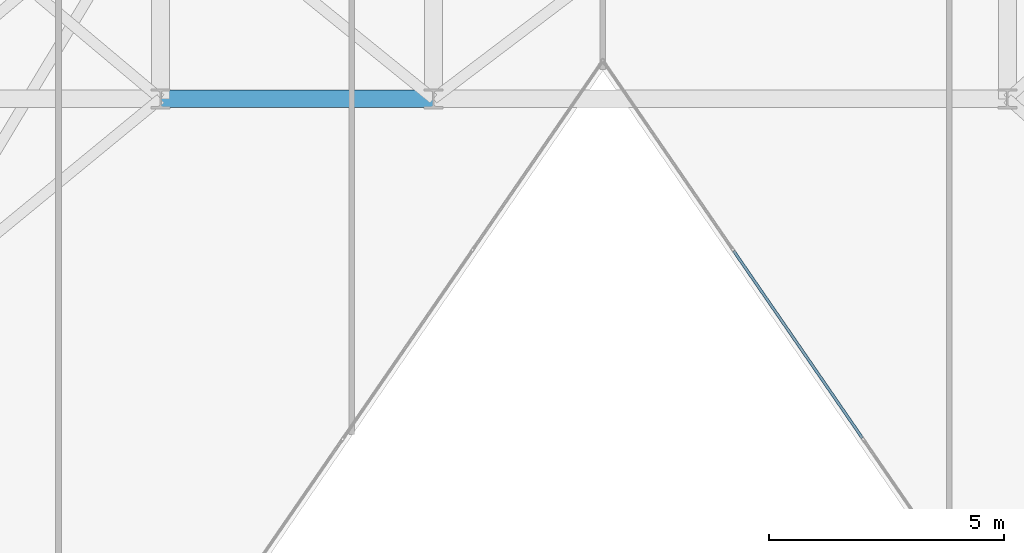
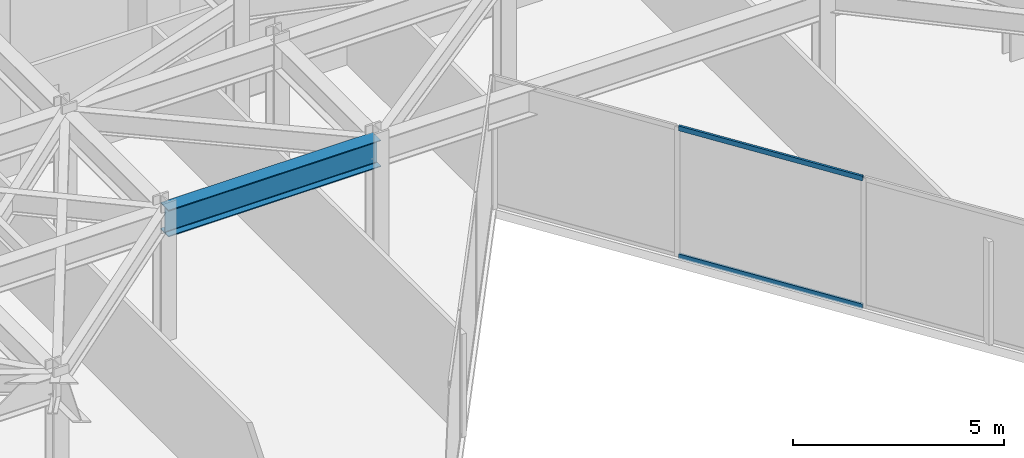
# One storey, part 7 of 27: 2 members, 1 beam, 1 element without a shape of its own.
"""IFC4 building model written with IfcOpenShell, lengths in metres."""

from ifc_helpers import new_model, si_unit, direction, frame, origin, origin_2d, place, context, subcontext, project, spatial, hollow_rectangle, i_section, extrude, material, layer, layer_set, material_profile, profile_set, type_object, element, aggregate, save


model = new_model("IFC4")

# Units and contexts
model_context = context("Model", 3, precision=1e-05, world=origin(), true_north=direction((0.0, 1.0)))
body_context = subcontext(model_context, "Body", "Model", "MODEL_VIEW")
ifc_project = project(units=[si_unit("LENGTHUNIT", "METRE"), si_unit("AREAUNIT", "SQUARE_METRE"), si_unit("VOLUMEUNIT", "CUBIC_METRE"), si_unit("PLANEANGLEUNIT", "RADIAN"), si_unit("MASSUNIT", "GRAM", prefix="KILO")], contexts=[model_context])

# Site, building, storey
site_placement = place(None, origin())
site = spatial("IfcSite", under=ifc_project, at=site_placement, CompositionType="ELEMENT")
building_placement = place(site_placement, origin())
building = spatial("IfcBuilding", under=site, at=building_placement, Name="Kravanh Interchange Tower", CompositionType="ELEMENT")
storey_placement = place(building_placement, frame((0.0, 0.0, 188.5)))
storey = spatial("IfcBuildingStorey", under=building, at=storey_placement, Name="L45", CompositionType="ELEMENT", Elevation=188.5)

# Curtain wall, members
ifc_material_1 = material(Name="Anodised Bronze Aluminium", Category="aluminium")
ifc_layer = layer(ifc_material_1, 0.179931640625)
ifc_layer_set = layer_set([ifc_layer], Name="Unitised Curtain Wall System CW-Z3 Upper Office")
curtain_wall_type = type_object("IfcCurtainWallType", Name="Unitised Curtain Wall System CW-Z3 Upper Office", PredefinedType="NOTDEFINED", material=ifc_layer_set)
curtain_wall_placement = place(storey_placement, origin())
curtain_wall = element("IfcCurtainWall", 1, at=curtain_wall_placement, inside=storey, type_object=curtain_wall_type, Name="L45 Unitised Curtain Wall CW-L45-04", PredefinedType="NOTDEFINED")
ifc_material_2 = material(Name="Anodised Bronze Aluminium", Category="aluminium")
ifc_material_profile_1 = material_profile(ifc_material_2, hollow_rectangle(XDim=0.06005859375, YDim=0.139892578125, WallThickness=0.00390625, at=origin_2d()), Name="ALU60X140X4")
ifc_profile_set_1 = profile_set([ifc_material_profile_1], Name="Anodised Bronze Aluminium")
member_type = type_object("IfcMemberType", Name="Curtain Wall Transom ALU60X140X4 Bronze", PredefinedType="USERDEFINED", material=ifc_profile_set_1)
member_1_placement = place(storey_placement, frame((47.714599609375, 19.590576171875, 0.030029296875), z_axis=(-0.566537417683, 0.824036015211, 0.0), x_axis=(-0.824036015211, -0.566537417683, 0.0)))
member_1 = element("IfcMember", 2, at=member_1_placement, type_object=member_type, Name="CW-Z3 transom 3.1", ObjectType="TRANSOM", PredefinedType="USERDEFINED", context=body_context, shape_type="SweptSolid", body=[
    extrude(hollow_rectangle(XDim=0.06005859375, YDim=0.139892578125, WallThickness=0.00390625, at=origin_2d()), origin(), (0.0, 0.0, 1.0), 4.822265625),
])
member_2_placement = place(storey_placement, frame((47.714599609375, 19.590576171875, 3.72509765625), z_axis=(-0.566537417683, 0.824036015211, 0.0), x_axis=(-0.824036015211, -0.566537417683, 0.0)))
member_2 = element("IfcMember", 3, at=member_2_placement, type_object=member_type, Name="CW-Z3 transom 3.2", ObjectType="TRANSOM", PredefinedType="USERDEFINED", context=body_context, shape_type="SweptSolid", body=[
    extrude(hollow_rectangle(XDim=0.06005859375, YDim=0.139892578125, WallThickness=0.00390625, at=origin_2d()), origin(), (0.0, 0.0, 1.0), 4.822265625),
])
aggregate(curtain_wall, [member_1, member_2])

# Beam
ifc_material_3 = material(Name="Structural Steel S355", Category="steel")
ifc_material_profile_2 = material_profile(ifc_material_3, i_section(OverallWidth=0.381103515625, OverallDepth=0.77294921875, WebThickness=0.0166015625, FlangeThickness=0.027099609375, FilletRadius=0.02490234375, at=origin_2d()), Name="W30X173")
ifc_profile_set_2 = profile_set([ifc_material_profile_2], Name="Structural Steel S355")
beam_type = type_object("IfcBeamType", Name="Floor Beam W30X173 Structural Steel S355", PredefinedType="BEAM", material=ifc_profile_set_2)
beam_placement = place(storey_placement, frame((32.800048828125, 26.800048828125, 3.368408203125), z_axis=(1.0, 0.0, 0.0), x_axis=(0.0, 1.0, 0.0)))
element("IfcBeam", 4, at=beam_placement, inside=storey, type_object=beam_type, Name="L45 Primary Floor Girder 42", PredefinedType="BEAM", context=body_context, shape_type="SweptSolid", body=[
    extrude(i_section(OverallWidth=0.381103515625, OverallDepth=0.77294921875, WebThickness=0.0166015625, FlangeThickness=0.027099609375, FilletRadius=0.02490234375, at=origin_2d()), origin(), (0.0, 0.0, 1.0), 5.800048828125),
])

save(model, "model.ifc")
